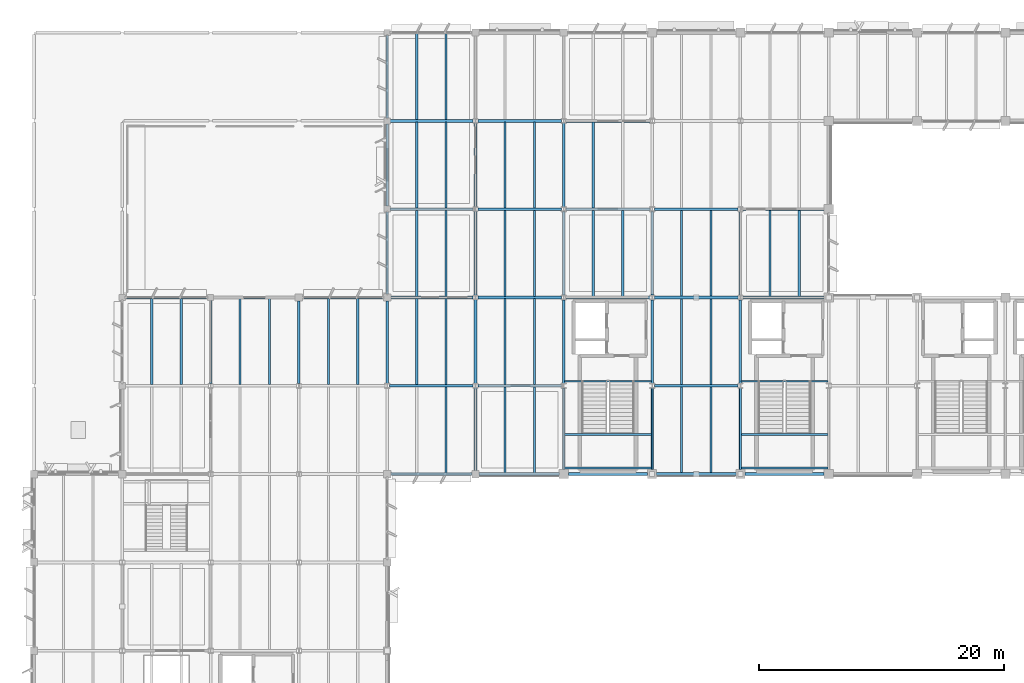
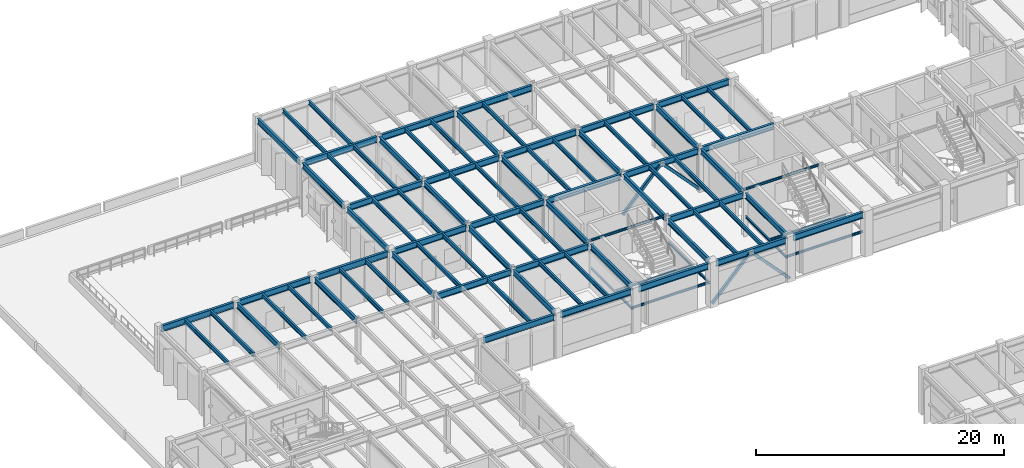
# One storey, part 21 of 92: 87 beams, 4 members.
"""IFC4 building model written with IfcOpenShell, lengths in metres."""

from ifc_helpers import new_model, si_unit, direction, frame, origin, origin_2d, place, context, subcontext, project, spatial, hollow_rectangle, i_section, extrude, material, material_profile, profile_set, type_object, element, save


model = new_model("IFC4")

# Units and contexts
model_context = context("Model", 3, precision=1e-05, world=origin(), true_north=direction((0.0, 1.0)))
body_context = subcontext(model_context, "Body", "Model", "MODEL_VIEW")
ifc_project = project(units=[si_unit("LENGTHUNIT", "METRE"), si_unit("AREAUNIT", "SQUARE_METRE"), si_unit("VOLUMEUNIT", "CUBIC_METRE"), si_unit("PLANEANGLEUNIT", "RADIAN"), si_unit("MASSUNIT", "GRAM", prefix="KILO")], contexts=[model_context])

# Site, building, storey
site_placement = place(None, origin())
site = spatial("IfcSite", under=ifc_project, at=site_placement, CompositionType="ELEMENT")
building_placement = place(site_placement, origin())
building = spatial("IfcBuilding", under=site, at=building_placement, Name="Sillqori Civic Hall", CompositionType="ELEMENT")
storey_placement = place(building_placement, frame((0.0, 0.0, 5.39990234375)))
storey = spatial("IfcBuildingStorey", under=building, at=storey_placement, Name="L02", CompositionType="ELEMENT", Elevation=5.39990234375)

# Beams
ifc_material_1 = material(Name="Steel ASTM A992", Category="steel")
ifc_material_profile_1 = material_profile(ifc_material_1, i_section(OverallWidth=0.2099609375, OverallDepth=0.532958984375, WebThickness=0.01025390625, FlangeThickness=0.015625, FilletRadius=0.013916015625, at=origin_2d()), Name="W21X62")
ifc_profile_set_1 = profile_set([ifc_material_profile_1], Name="Steel ASTM A992")
beam_type_1 = type_object("IfcBeamType", Name="BM-W21X62", PredefinedType="BEAM", material=ifc_profile_set_1)
beam_1_placement = place(storey_placement, frame((21.60009765625, 86.574462890625, 4.03369140625), z_axis=(0.0, 1.0, 0.0), x_axis=(-1.0, 0.0, 0.0)))
element("IfcBeam", 1, at=beam_1_placement, inside=storey, type_object=beam_type_1, Name="L02 girder Y 3-12", PredefinedType="BEAM", context=body_context, shape_type="SweptSolid", body=[
    extrude(i_section(OverallWidth=0.2099609375, OverallDepth=0.532958984375, WebThickness=0.01025390625, FlangeThickness=0.015625, FilletRadius=0.013916015625, at=origin_2d()), origin(), (0.0, 0.0, 1.0), 6.781494140625),
])
beam_2_placement = place(storey_placement, frame((28.800048828125, 86.577880859375, 4.03369140625), z_axis=(0.0, 1.0, 0.0), x_axis=(-1.0, 0.0, 0.0)))
element("IfcBeam", 2, at=beam_2_placement, inside=storey, type_object=beam_type_1, Name="L02 girder Y 4-12", PredefinedType="BEAM", context=body_context, shape_type="SweptSolid", body=[
    extrude(i_section(OverallWidth=0.2099609375, OverallDepth=0.532958984375, WebThickness=0.01025390625, FlangeThickness=0.015625, FilletRadius=0.013916015625, at=origin_2d()), origin(), (0.0, 0.0, 1.0), 6.72802734375),
])
beam_3_placement = place(storey_placement, frame((36.0, 86.58203125, 4.03369140625), z_axis=(0.0, 1.0, 0.0), x_axis=(-1.0, 0.0, 0.0)))
element("IfcBeam", 3, at=beam_3_placement, inside=storey, type_object=beam_type_1, Name="L02 girder Y 5-12", PredefinedType="BEAM", context=body_context, shape_type="SweptSolid", body=[
    extrude(i_section(OverallWidth=0.2099609375, OverallDepth=0.532958984375, WebThickness=0.01025390625, FlangeThickness=0.015625, FilletRadius=0.013916015625, at=origin_2d()), origin(), (0.0, 0.0, 1.0), 6.723876953125),
])
beam_4_placement = place(storey_placement, frame((36.0, 93.89404296875, 4.03369140625), z_axis=(0.0, 1.0, 0.0), x_axis=(-1.0, 0.0, 0.0)))
element("IfcBeam", 4, at=beam_4_placement, inside=storey, type_object=beam_type_1, Name="L02 girder Y 5-13", PredefinedType="BEAM", context=body_context, shape_type="SweptSolid", body=[
    extrude(i_section(OverallWidth=0.2099609375, OverallDepth=0.532958984375, WebThickness=0.01025390625, FlangeThickness=0.015625, FilletRadius=0.013916015625, at=origin_2d()), origin(), (0.0, 0.0, 1.0), 6.661865234375),
])
for number, where, z_axis, x_axis, name in (
    (5, (36.0, 101.0439453125, 4.03369140625), (0.0, 1.0, 0.0), (-1.0, 0.0, 0.0), "L02 girder Y 5-14"),
    (6, (36.0, 108.243896484375, 4.03369140625), (0.0, 1.0, 0.0), (-1.0, 0.0, 0.0), "L02 girder Y 5-15"),
):
    element("IfcBeam", number, at=place(storey_placement, frame(where, z_axis=z_axis, x_axis=x_axis)), inside=storey, type_object=beam_type_1, Name=name, PredefinedType="BEAM", context=body_context, shape_type="SweptSolid", body=[
        extrude(i_section(OverallWidth=0.2099609375, OverallDepth=0.532958984375, WebThickness=0.01025390625, FlangeThickness=0.015625, FilletRadius=0.013916015625, at=origin_2d()), origin(), (0.0, 0.0, 1.0), 6.712158203125),
    ])
beam_5_placement = place(storey_placement, frame((43.199951171875, 79.493896484375, 4.03369140625), z_axis=(0.0, 1.0, 0.0), x_axis=(-1.0, 0.0, 0.0)))
element("IfcBeam", 7, at=beam_5_placement, inside=storey, type_object=beam_type_1, Name="L02 girder Y 6-11", PredefinedType="BEAM", context=body_context, shape_type="SweptSolid", body=[
    extrude(i_section(OverallWidth=0.2099609375, OverallDepth=0.532958984375, WebThickness=0.01025390625, FlangeThickness=0.015625, FilletRadius=0.013916015625, at=origin_2d()), origin(), (0.0, 0.0, 1.0), 6.72412109375),
])
for number, where, z_axis, x_axis, name in (
    (8, (43.199951171875, 86.58203125, 4.03369140625), (0.0, 1.0, 0.0), (-1.0, 0.0, 0.0), "L02 girder Y 6-12"),
    (9, (43.199951171875, 93.781982421875, 4.03369140625), (0.0, 1.0, 0.0), (-1.0, 0.0, 0.0), "L02 girder Y 6-13"),
):
    element("IfcBeam", number, at=place(storey_placement, frame(where, z_axis=z_axis, x_axis=x_axis)), inside=storey, type_object=beam_type_1, Name=name, PredefinedType="BEAM", context=body_context, shape_type="SweptSolid", body=[
        extrude(i_section(OverallWidth=0.2099609375, OverallDepth=0.532958984375, WebThickness=0.01025390625, FlangeThickness=0.015625, FilletRadius=0.013916015625, at=origin_2d()), origin(), (0.0, 0.0, 1.0), 6.8359375),
    ])
beam_6_placement = place(storey_placement, frame((43.199951171875, 100.98193359375, 4.03369140625), z_axis=(0.0, 1.0, 0.0), x_axis=(-1.0, 0.0, 0.0)))
element("IfcBeam", 10, at=beam_6_placement, inside=storey, type_object=beam_type_1, Name="L02 girder Y 6-14", PredefinedType="BEAM", context=body_context, shape_type="SweptSolid", body=[
    extrude(i_section(OverallWidth=0.2099609375, OverallDepth=0.532958984375, WebThickness=0.01025390625, FlangeThickness=0.015625, FilletRadius=0.013916015625, at=origin_2d()), origin(), (0.0, 0.0, 1.0), 6.836181640625),
])
beam_7_placement = place(storey_placement, frame((50.39990234375, 79.569091796875, 4.03369140625), z_axis=(0.0, 1.0, 0.0), x_axis=(-1.0, 0.0, 0.0)))
element("IfcBeam", 11, at=beam_7_placement, inside=storey, type_object=beam_type_1, Name="L02 girder Y 7-11", PredefinedType="BEAM", context=body_context, shape_type="SweptSolid", body=[
    extrude(i_section(OverallWidth=0.2099609375, OverallDepth=0.532958984375, WebThickness=0.01025390625, FlangeThickness=0.015625, FilletRadius=0.013916015625, at=origin_2d()), origin(), (0.0, 0.0, 1.0), 6.639892578125),
])
beam_8_placement = place(storey_placement, frame((50.39990234375, 86.591064453125, 4.03369140625), z_axis=(0.0, 1.0, 0.0), x_axis=(-1.0, 0.0, 0.0)))
element("IfcBeam", 12, at=beam_8_placement, inside=storey, type_object=beam_type_1, Name="L02 girder Y 7-12", PredefinedType="BEAM", context=body_context, shape_type="SweptSolid", body=[
    extrude(i_section(OverallWidth=0.2099609375, OverallDepth=0.532958984375, WebThickness=0.01025390625, FlangeThickness=0.015625, FilletRadius=0.013916015625, at=origin_2d()), origin(), (0.0, 0.0, 1.0), 6.81787109375),
])
beam_9_placement = place(storey_placement, frame((50.39990234375, 93.791015625, 4.03369140625), z_axis=(0.0, 1.0, 0.0), x_axis=(-1.0, 0.0, 0.0)))
element("IfcBeam", 13, at=beam_9_placement, inside=storey, type_object=beam_type_1, Name="L02 girder Y 7-13", PredefinedType="BEAM", context=body_context, shape_type="SweptSolid", body=[
    extrude(i_section(OverallWidth=0.2099609375, OverallDepth=0.532958984375, WebThickness=0.01025390625, FlangeThickness=0.015625, FilletRadius=0.013916015625, at=origin_2d()), origin(), (0.0, 0.0, 1.0), 6.822021484375),
])
beam_10_placement = place(storey_placement, frame((50.39990234375, 100.987060546875, 4.03369140625), z_axis=(0.0, 1.0, 0.0), x_axis=(-1.0, 0.0, 0.0)))
element("IfcBeam", 14, at=beam_10_placement, inside=storey, type_object=beam_type_1, Name="L02 girder Y 7-14", PredefinedType="BEAM", context=body_context, shape_type="SweptSolid", body=[
    extrude(i_section(OverallWidth=0.2099609375, OverallDepth=0.532958984375, WebThickness=0.01025390625, FlangeThickness=0.015625, FilletRadius=0.013916015625, at=origin_2d()), origin(), (0.0, 0.0, 1.0), 6.825927734375),
])
beam_11_placement = place(storey_placement, frame((57.60009765625, 79.569091796875, 4.03369140625), z_axis=(0.0, 1.0, 0.0), x_axis=(-1.0, 0.0, 0.0)))
element("IfcBeam", 15, at=beam_11_placement, inside=storey, type_object=beam_type_1, Name="L02 girder Y 8-11", PredefinedType="BEAM", context=body_context, shape_type="SweptSolid", body=[
    extrude(i_section(OverallWidth=0.2099609375, OverallDepth=0.532958984375, WebThickness=0.01025390625, FlangeThickness=0.015625, FilletRadius=0.013916015625, at=origin_2d()), origin(), (0.0, 0.0, 1.0), 6.639892578125),
])
for number, where, z_axis, x_axis, name in (
    (16, (57.60009765625, 86.591064453125, 4.03369140625), (0.0, 1.0, 0.0), (-1.0, 0.0, 0.0), "L02 girder Y 8-12"),
    (17, (57.60009765625, 93.791015625, 4.03369140625), (0.0, 1.0, 0.0), (-1.0, 0.0, 0.0), "L02 girder Y 8-13"),
):
    element("IfcBeam", number, at=place(storey_placement, frame(where, z_axis=z_axis, x_axis=x_axis)), inside=storey, type_object=beam_type_1, Name=name, PredefinedType="BEAM", context=body_context, shape_type="SweptSolid", body=[
        extrude(i_section(OverallWidth=0.2099609375, OverallDepth=0.532958984375, WebThickness=0.01025390625, FlangeThickness=0.015625, FilletRadius=0.013916015625, at=origin_2d()), origin(), (0.0, 0.0, 1.0), 6.81787109375),
    ])
beam_12_placement = place(storey_placement, frame((64.800048828125, 79.569091796875, 4.03369140625), z_axis=(0.0, 1.0, 0.0), x_axis=(-1.0, 0.0, 0.0)))
element("IfcBeam", 18, at=beam_12_placement, inside=storey, type_object=beam_type_1, Name="L02 girder Y 9-11", PredefinedType="BEAM", context=body_context, shape_type="SweptSolid", body=[
    extrude(i_section(OverallWidth=0.2099609375, OverallDepth=0.532958984375, WebThickness=0.01025390625, FlangeThickness=0.015625, FilletRadius=0.013916015625, at=origin_2d()), origin(), (0.0, 0.0, 1.0), 6.639892578125),
])
for number, where, z_axis, x_axis, name in (
    (19, (64.800048828125, 86.591064453125, 4.03369140625), (0.0, 1.0, 0.0), (-1.0, 0.0, 0.0), "L02 girder Y 9-12"),
    (20, (64.800048828125, 93.791015625, 4.03369140625), (0.0, 1.0, 0.0), (-1.0, 0.0, 0.0), "L02 girder Y 9-13"),
):
    element("IfcBeam", number, at=place(storey_placement, frame(where, z_axis=z_axis, x_axis=x_axis)), inside=storey, type_object=beam_type_1, Name=name, PredefinedType="BEAM", context=body_context, shape_type="SweptSolid", body=[
        extrude(i_section(OverallWidth=0.2099609375, OverallDepth=0.532958984375, WebThickness=0.01025390625, FlangeThickness=0.015625, FilletRadius=0.013916015625, at=origin_2d()), origin(), (0.0, 0.0, 1.0), 6.81787109375),
    ])
ifc_material_profile_2 = material_profile(ifc_material_1, i_section(OverallWidth=0.22802734375, OverallDepth=0.60205078125, WebThickness=0.010498046875, FlangeThickness=0.014892578125, FilletRadius=0.014892578125, at=origin_2d()), Name="W24X68")
ifc_profile_set_2 = profile_set([ifc_material_profile_2], Name="Steel ASTM A992")
beam_type_2 = type_object("IfcBeamType", Name="BM-W24X68", PredefinedType="BEAM", material=ifc_profile_set_2)
beam_13_placement = place(storey_placement, frame((14.64404296875, 93.60009765625, 3.9990234375), z_axis=(1.0, 0.0, 0.0), x_axis=(0.0, 1.0, 0.0)))
element("IfcBeam", 21, at=beam_13_placement, inside=storey, type_object=beam_type_2, Name="L02 girder X 2-13", PredefinedType="BEAM", context=body_context, shape_type="SweptSolid", body=[
    extrude(i_section(OverallWidth=0.22802734375, OverallDepth=0.60205078125, WebThickness=0.010498046875, FlangeThickness=0.014892578125, FilletRadius=0.014892578125, at=origin_2d()), origin(), (0.0, 0.0, 1.0), 6.7119140625),
])
beam_14_placement = place(storey_placement, frame((21.843994140625, 93.60009765625, 3.9990234375), z_axis=(1.0, 0.0, 0.0), x_axis=(0.0, 1.0, 0.0)))
element("IfcBeam", 22, at=beam_14_placement, inside=storey, type_object=beam_type_2, Name="L02 girder X 3-13", PredefinedType="BEAM", context=body_context, shape_type="SweptSolid", body=[
    extrude(i_section(OverallWidth=0.22802734375, OverallDepth=0.60205078125, WebThickness=0.010498046875, FlangeThickness=0.014892578125, FilletRadius=0.014892578125, at=origin_2d()), origin(), (0.0, 0.0, 1.0), 6.662109375),
])
for number, where, z_axis, x_axis, name in (
    (23, (29.093994140625, 93.60009765625, 3.9990234375), (1.0, 0.0, 0.0), (0.0, 1.0, 0.0), "L02 girder X 4-13"),
    (24, (36.2939453125, 79.199951171875, 3.9990234375), (1.0, 0.0, 0.0), (0.0, 1.0, 0.0), "L02 girder X 5-11"),
):
    element("IfcBeam", number, at=place(storey_placement, frame(where, z_axis=z_axis, x_axis=x_axis)), inside=storey, type_object=beam_type_2, Name=name, PredefinedType="BEAM", context=body_context, shape_type="SweptSolid", body=[
        extrude(i_section(OverallWidth=0.22802734375, OverallDepth=0.60205078125, WebThickness=0.010498046875, FlangeThickness=0.014892578125, FilletRadius=0.014892578125, at=origin_2d()), origin(), (0.0, 0.0, 1.0), 6.612060546875),
    ])
beam_15_placement = place(storey_placement, frame((36.19091796875, 86.39990234375, 3.9990234375), z_axis=(1.0, 0.0, 0.0), x_axis=(0.0, 1.0, 0.0)))
element("IfcBeam", 25, at=beam_15_placement, inside=storey, type_object=beam_type_2, Name="L02 girder X 5-12", PredefinedType="BEAM", context=body_context, shape_type="SweptSolid", body=[
    extrude(i_section(OverallWidth=0.22802734375, OverallDepth=0.60205078125, WebThickness=0.010498046875, FlangeThickness=0.014892578125, FilletRadius=0.014892578125, at=origin_2d()), origin(), (0.0, 0.0, 1.0), 6.818115234375),
])
beam_16_placement = place(storey_placement, frame((36.2939453125, 93.60009765625, 3.9990234375), z_axis=(1.0, 0.0, 0.0), x_axis=(0.0, 1.0, 0.0)))
element("IfcBeam", 26, at=beam_16_placement, inside=storey, type_object=beam_type_2, Name="L02 girder X 5-13", PredefinedType="BEAM", context=body_context, shape_type="SweptSolid", body=[
    extrude(i_section(OverallWidth=0.22802734375, OverallDepth=0.60205078125, WebThickness=0.010498046875, FlangeThickness=0.014892578125, FilletRadius=0.014892578125, at=origin_2d()), origin(), (0.0, 0.0, 1.0), 6.715087890625),
])
for number, where, z_axis, x_axis, name in (
    (27, (36.243896484375, 100.800048828125, 3.9990234375), (1.0, 0.0, 0.0), (0.0, 1.0, 0.0), "L02 girder X 5-14"),
    (28, (36.243896484375, 108.0, 3.9990234375), (1.0, 0.0, 0.0), (0.0, 1.0, 0.0), "L02 girder X 5-15"),
):
    element("IfcBeam", number, at=place(storey_placement, frame(where, z_axis=z_axis, x_axis=x_axis)), inside=storey, type_object=beam_type_2, Name=name, PredefinedType="BEAM", context=body_context, shape_type="SweptSolid", body=[
        extrude(i_section(OverallWidth=0.22802734375, OverallDepth=0.60205078125, WebThickness=0.010498046875, FlangeThickness=0.014892578125, FilletRadius=0.014892578125, at=origin_2d()), origin(), (0.0, 0.0, 1.0), 6.76513671875),
    ])
beam_17_placement = place(storey_placement, frame((43.493896484375, 79.199951171875, 3.9990234375), z_axis=(1.0, 0.0, 0.0), x_axis=(0.0, 1.0, 0.0)))
element("IfcBeam", 29, at=beam_17_placement, inside=storey, type_object=beam_type_2, Name="L02 girder X 6-11", PredefinedType="BEAM", context=body_context, shape_type="SweptSolid", body=[
    extrude(i_section(OverallWidth=0.22802734375, OverallDepth=0.60205078125, WebThickness=0.010498046875, FlangeThickness=0.014892578125, FilletRadius=0.014892578125, at=origin_2d()), origin(), (0.0, 0.0, 1.0), 6.537109375),
])
for number, where, z_axis, x_axis, name in (
    (30, (43.39111328125, 86.39990234375, 3.9990234375), (1.0, 0.0, 0.0), (0.0, 1.0, 0.0), "L02 girder X 6-12"),
    (31, (43.39111328125, 93.60009765625, 3.9990234375), (1.0, 0.0, 0.0), (0.0, 1.0, 0.0), "L02 girder X 6-13"),
    (32, (43.39111328125, 100.800048828125, 3.9990234375), (1.0, 0.0, 0.0), (0.0, 1.0, 0.0), "L02 girder X 6-14"),
    (33, (43.39111328125, 108.0, 3.9990234375), (1.0, 0.0, 0.0), (0.0, 1.0, 0.0), "L02 girder X 6-15"),
):
    element("IfcBeam", number, at=place(storey_placement, frame(where, z_axis=z_axis, x_axis=x_axis)), inside=storey, type_object=beam_type_2, Name=name, PredefinedType="BEAM", context=body_context, shape_type="SweptSolid", body=[
        extrude(i_section(OverallWidth=0.22802734375, OverallDepth=0.60205078125, WebThickness=0.010498046875, FlangeThickness=0.014892578125, FilletRadius=0.014892578125, at=origin_2d()), origin(), (0.0, 0.0, 1.0), 6.8154296875),
    ])
beam_18_placement = place(storey_placement, frame((50.76904296875, 79.199951171875, 3.9990234375), z_axis=(1.0, 0.0, 0.0), x_axis=(0.0, 1.0, 0.0)))
element("IfcBeam", 34, at=beam_18_placement, inside=storey, type_object=beam_type_2, Name="L02 girder X 7-11", PredefinedType="BEAM", context=body_context, shape_type="SweptSolid", body=[
    extrude(i_section(OverallWidth=0.22802734375, OverallDepth=0.60205078125, WebThickness=0.010498046875, FlangeThickness=0.014892578125, FilletRadius=0.014892578125, at=origin_2d()), origin(), (0.0, 0.0, 1.0), 6.4619140625),
])
for number, where, z_axis, x_axis, name in (
    (35, (50.593505859375, 93.60009765625, 3.9990234375), (1.0, 0.0, 0.0), (0.0, 1.0, 0.0), "L02 girder X 7-13"),
    (36, (50.593505859375, 100.800048828125, 3.9990234375), (1.0, 0.0, 0.0), (0.0, 1.0, 0.0), "L02 girder X 7-14"),
    (37, (50.593505859375, 108.0, 3.9990234375), (1.0, 0.0, 0.0), (0.0, 1.0, 0.0), "L02 girder X 7-15"),
):
    element("IfcBeam", number, at=place(storey_placement, frame(where, z_axis=z_axis, x_axis=x_axis)), inside=storey, type_object=beam_type_2, Name=name, PredefinedType="BEAM", context=body_context, shape_type="SweptSolid", body=[
        extrude(i_section(OverallWidth=0.22802734375, OverallDepth=0.60205078125, WebThickness=0.010498046875, FlangeThickness=0.014892578125, FilletRadius=0.014892578125, at=origin_2d()), origin(), (0.0, 0.0, 1.0), 6.81298828125),
    ])
beam_19_placement = place(storey_placement, frame((57.968994140625, 79.199951171875, 3.9990234375), z_axis=(1.0, 0.0, 0.0), x_axis=(0.0, 1.0, 0.0)))
element("IfcBeam", 38, at=beam_19_placement, inside=storey, type_object=beam_type_2, Name="L02 girder X 8-11", PredefinedType="BEAM", context=body_context, shape_type="SweptSolid", body=[
    extrude(i_section(OverallWidth=0.22802734375, OverallDepth=0.60205078125, WebThickness=0.010498046875, FlangeThickness=0.014892578125, FilletRadius=0.014892578125, at=origin_2d()), origin(), (0.0, 0.0, 1.0), 6.4619140625),
])
for number, where, z_axis, x_axis, name in (
    (39, (57.79345703125, 86.39990234375, 3.9990234375), (1.0, 0.0, 0.0), (0.0, 1.0, 0.0), "L02 girder X 8-12"),
    (40, (57.79345703125, 93.60009765625, 3.9990234375), (1.0, 0.0, 0.0), (0.0, 1.0, 0.0), "L02 girder X 8-13"),
    (41, (57.79345703125, 100.800048828125, 3.9990234375), (1.0, 0.0, 0.0), (0.0, 1.0, 0.0), "L02 girder X 8-14"),
):
    element("IfcBeam", number, at=place(storey_placement, frame(where, z_axis=z_axis, x_axis=x_axis)), inside=storey, type_object=beam_type_2, Name=name, PredefinedType="BEAM", context=body_context, shape_type="SweptSolid", body=[
        extrude(i_section(OverallWidth=0.22802734375, OverallDepth=0.60205078125, WebThickness=0.010498046875, FlangeThickness=0.014892578125, FilletRadius=0.014892578125, at=origin_2d()), origin(), (0.0, 0.0, 1.0), 6.81298828125),
    ])
beam_20_placement = place(storey_placement, frame((65.1689453125, 79.199951171875, 3.9990234375), z_axis=(1.0, 0.0, 0.0), x_axis=(0.0, 1.0, 0.0)))
element("IfcBeam", 42, at=beam_20_placement, inside=storey, type_object=beam_type_2, Name="L02 girder X 9-11", PredefinedType="BEAM", context=body_context, shape_type="SweptSolid", body=[
    extrude(i_section(OverallWidth=0.22802734375, OverallDepth=0.60205078125, WebThickness=0.010498046875, FlangeThickness=0.014892578125, FilletRadius=0.014892578125, at=origin_2d()), origin(), (0.0, 0.0, 1.0), 6.462158203125),
])
for number, where, z_axis, x_axis, name in (
    (43, (64.993408203125, 93.60009765625, 3.9990234375), (1.0, 0.0, 0.0), (0.0, 1.0, 0.0), "L02 girder X 9-13"),
    (44, (64.993408203125, 100.800048828125, 3.9990234375), (1.0, 0.0, 0.0), (0.0, 1.0, 0.0), "L02 girder X 9-14"),
):
    element("IfcBeam", number, at=place(storey_placement, frame(where, z_axis=z_axis, x_axis=x_axis)), inside=storey, type_object=beam_type_2, Name=name, PredefinedType="BEAM", context=body_context, shape_type="SweptSolid", body=[
        extrude(i_section(OverallWidth=0.22802734375, OverallDepth=0.60205078125, WebThickness=0.010498046875, FlangeThickness=0.014892578125, FilletRadius=0.014892578125, at=origin_2d()), origin(), (0.0, 0.0, 1.0), 6.6376953125),
    ])

# Members
ifc_material_2 = material(Name="Steel ASTM A500 Grade C", Category="steel")
ifc_material_profile_3 = material_profile(ifc_material_2, hollow_rectangle(XDim=0.25, YDim=0.25, WallThickness=0.011962890625, InnerFilletRadius=0.011962890625, OuterFilletRadius=0.02392578125, at=origin_2d()), Name="HSS250X250X12")
ifc_profile_set_3 = profile_set([ifc_material_profile_3], Name="Steel ASTM A500 Grade C")
member_type = type_object("IfcMemberType", Name="BR-HSS250", PredefinedType="BRACE", material=ifc_profile_set_3)
for number, where, z_axis, x_axis, name in (
    (45, (57.60009765625, 79.199951171875, 0.150146484375), (0.682992959744, 0.0, 0.730424956406), (0.0, 1.0, 0.0), "L02 seismic chevron brace L X11-8"),
    (46, (64.800048828125, 79.199951171875, 0.150146484375), (-0.683017671411, 0.0, 0.73040184867), (0.0, -1.0, 0.0), "L02 seismic chevron brace R X11-8"),
    (47, (57.60009765625, 93.60009765625, 0.150146484375), (0.682992959744, 0.0, 0.730424956406), (0.0, 1.0, 0.0), "L02 seismic chevron brace L X13-8"),
    (48, (64.800048828125, 93.60009765625, 0.150146484375), (-0.683017671411, 0.0, 0.73040184867), (0.0, -1.0, 0.0), "L02 seismic chevron brace R X13-8"),
):
    element("IfcMember", number, at=place(storey_placement, frame(where, z_axis=z_axis, x_axis=x_axis)), inside=storey, type_object=member_type, Name=name, PredefinedType="BRACE", context=body_context, shape_type="SweptSolid", body=[
        extrude(hollow_rectangle(XDim=0.25, YDim=0.25, WallThickness=0.011962890625, InnerFilletRadius=0.011962890625, OuterFilletRadius=0.02392578125, at=origin_2d()), origin(), (0.0, 0.0, 1.0), 5.270751953125),
    ])

# Beams
ifc_material_profile_4 = material_profile(ifc_material_1, i_section(OverallWidth=0.177978515625, OverallDepth=0.404052734375, WebThickness=0.007568359375, FlangeThickness=0.010986328125, FilletRadius=0.011962890625, at=origin_2d()), Name="W16X36")
ifc_profile_set_4 = profile_set([ifc_material_profile_4], Name="Steel ASTM A992")
beam_type_3 = type_object("IfcBeamType", Name="JS-W16X36", PredefinedType="JOIST", material=ifc_profile_set_4)
for number, where, z_axis, x_axis, name in (
    (49, (16.800048828125, 86.4951171875, 4.09814453125), (0.0, 1.0, 0.0), (-1.0, 0.0, 0.0), "L02 composite joist 2-12.1"),
    (50, (19.199951171875, 86.4951171875, 4.09814453125), (0.0, 1.0, 0.0), (-1.0, 0.0, 0.0), "L02 composite joist 2-12.2"),
    (51, (24.0, 86.4951171875, 4.09814453125), (0.0, 1.0, 0.0), (-1.0, 0.0, 0.0), "L02 composite joist 3-12.1"),
    (52, (26.39990234375, 86.4951171875, 4.09814453125), (0.0, 1.0, 0.0), (-1.0, 0.0, 0.0), "L02 composite joist 3-12.2"),
    (53, (31.199951171875, 86.4951171875, 4.09814453125), (0.0, 1.0, 0.0), (-1.0, 0.0, 0.0), "L02 composite joist 4-12.1"),
    (54, (33.60009765625, 86.4951171875, 4.09814453125), (0.0, 1.0, 0.0), (-1.0, 0.0, 0.0), "L02 composite joist 4-12.2"),
):
    element("IfcBeam", number, at=place(storey_placement, frame(where, z_axis=z_axis, x_axis=x_axis)), inside=storey, type_object=beam_type_3, Name=name, PredefinedType="JOIST", context=body_context, shape_type="SweptSolid", body=[
        extrude(i_section(OverallWidth=0.177978515625, OverallDepth=0.404052734375, WebThickness=0.007568359375, FlangeThickness=0.010986328125, FilletRadius=0.011962890625, at=origin_2d()), origin(), (0.0, 0.0, 1.0), 7.009765625),
    ])
beam_21_placement = place(storey_placement, frame((40.800048828125, 79.294921875, 4.09814453125), z_axis=(0.0, 1.0, 0.0), x_axis=(-1.0, 0.0, 0.0)))
element("IfcBeam", 55, at=beam_21_placement, inside=storey, type_object=beam_type_3, Name="L02 composite joist 5-11.2", PredefinedType="JOIST", context=body_context, shape_type="SweptSolid", body=[
    extrude(i_section(OverallWidth=0.177978515625, OverallDepth=0.404052734375, WebThickness=0.007568359375, FlangeThickness=0.010986328125, FilletRadius=0.011962890625, at=origin_2d()), origin(), (0.0, 0.0, 1.0), 7.010009765625),
])
for number, where, z_axis, x_axis, name in (
    (56, (38.39990234375, 86.4951171875, 4.09814453125), (0.0, 1.0, 0.0), (-1.0, 0.0, 0.0), "L02 composite joist 5-12.1"),
    (57, (40.800048828125, 86.4951171875, 4.09814453125), (0.0, 1.0, 0.0), (-1.0, 0.0, 0.0), "L02 composite joist 5-12.2"),
):
    element("IfcBeam", number, at=place(storey_placement, frame(where, z_axis=z_axis, x_axis=x_axis)), inside=storey, type_object=beam_type_3, Name=name, PredefinedType="JOIST", context=body_context, shape_type="SweptSolid", body=[
        extrude(i_section(OverallWidth=0.177978515625, OverallDepth=0.404052734375, WebThickness=0.007568359375, FlangeThickness=0.010986328125, FilletRadius=0.011962890625, at=origin_2d()), origin(), (0.0, 0.0, 1.0), 7.009765625),
    ])
for number, where, z_axis, x_axis, name in (
    (58, (38.39990234375, 93.695068359375, 4.09814453125), (0.0, 1.0, 0.0), (-1.0, 0.0, 0.0), "L02 composite joist 5-13.1"),
    (59, (40.800048828125, 93.695068359375, 4.09814453125), (0.0, 1.0, 0.0), (-1.0, 0.0, 0.0), "L02 composite joist 5-13.2"),
    (60, (38.39990234375, 100.89501953125, 4.09814453125), (0.0, 1.0, 0.0), (-1.0, 0.0, 0.0), "L02 composite joist 5-14.1"),
    (61, (40.800048828125, 100.89501953125, 4.09814453125), (0.0, 1.0, 0.0), (-1.0, 0.0, 0.0), "L02 composite joist 5-14.2"),
    (62, (38.39990234375, 108.094970703125, 4.09814453125), (0.0, 1.0, 0.0), (-1.0, 0.0, 0.0), "L02 composite joist 5-15.1"),
    (63, (40.800048828125, 108.094970703125, 4.09814453125), (0.0, 1.0, 0.0), (-1.0, 0.0, 0.0), "L02 composite joist 5-15.2"),
    (64, (45.60009765625, 79.294921875, 4.09814453125), (0.0, 1.0, 0.0), (-1.0, 0.0, 0.0), "L02 composite joist 6-11.1"),
    (65, (48.0, 79.294921875, 4.09814453125), (0.0, 1.0, 0.0), (-1.0, 0.0, 0.0), "L02 composite joist 6-11.2"),
):
    element("IfcBeam", number, at=place(storey_placement, frame(where, z_axis=z_axis, x_axis=x_axis)), inside=storey, type_object=beam_type_3, Name=name, PredefinedType="JOIST", context=body_context, shape_type="SweptSolid", body=[
        extrude(i_section(OverallWidth=0.177978515625, OverallDepth=0.404052734375, WebThickness=0.007568359375, FlangeThickness=0.010986328125, FilletRadius=0.011962890625, at=origin_2d()), origin(), (0.0, 0.0, 1.0), 7.010009765625),
    ])
for number, where, z_axis, x_axis, name in (
    (66, (45.60009765625, 86.4951171875, 4.09814453125), (0.0, 1.0, 0.0), (-1.0, 0.0, 0.0), "L02 composite joist 6-12.1"),
    (67, (48.0, 86.4951171875, 4.09814453125), (0.0, 1.0, 0.0), (-1.0, 0.0, 0.0), "L02 composite joist 6-12.2"),
):
    element("IfcBeam", number, at=place(storey_placement, frame(where, z_axis=z_axis, x_axis=x_axis)), inside=storey, type_object=beam_type_3, Name=name, PredefinedType="JOIST", context=body_context, shape_type="SweptSolid", body=[
        extrude(i_section(OverallWidth=0.177978515625, OverallDepth=0.404052734375, WebThickness=0.007568359375, FlangeThickness=0.010986328125, FilletRadius=0.011962890625, at=origin_2d()), origin(), (0.0, 0.0, 1.0), 7.009765625),
    ])
for number, where, z_axis, x_axis, name in (
    (68, (45.60009765625, 93.695068359375, 4.09814453125), (0.0, 1.0, 0.0), (-1.0, 0.0, 0.0), "L02 composite joist 6-13.1"),
    (69, (48.0, 93.695068359375, 4.09814453125), (0.0, 1.0, 0.0), (-1.0, 0.0, 0.0), "L02 composite joist 6-13.2"),
    (70, (45.60009765625, 100.89501953125, 4.09814453125), (0.0, 1.0, 0.0), (-1.0, 0.0, 0.0), "L02 composite joist 6-14.1"),
    (71, (48.0, 100.89501953125, 4.09814453125), (0.0, 1.0, 0.0), (-1.0, 0.0, 0.0), "L02 composite joist 6-14.2"),
    (72, (52.800048828125, 93.695068359375, 4.09814453125), (0.0, 1.0, 0.0), (-1.0, 0.0, 0.0), "L02 composite joist 7-13.1"),
    (73, (55.199951171875, 93.695068359375, 4.09814453125), (0.0, 1.0, 0.0), (-1.0, 0.0, 0.0), "L02 composite joist 7-13.2"),
    (74, (52.800048828125, 100.89501953125, 4.09814453125), (0.0, 1.0, 0.0), (-1.0, 0.0, 0.0), "L02 composite joist 7-14.1"),
    (75, (60.0, 79.294921875, 4.09814453125), (0.0, 1.0, 0.0), (-1.0, 0.0, 0.0), "L02 composite joist 8-11.1"),
    (76, (62.39990234375, 79.294921875, 4.09814453125), (0.0, 1.0, 0.0), (-1.0, 0.0, 0.0), "L02 composite joist 8-11.2"),
):
    element("IfcBeam", number, at=place(storey_placement, frame(where, z_axis=z_axis, x_axis=x_axis)), inside=storey, type_object=beam_type_3, Name=name, PredefinedType="JOIST", context=body_context, shape_type="SweptSolid", body=[
        extrude(i_section(OverallWidth=0.177978515625, OverallDepth=0.404052734375, WebThickness=0.007568359375, FlangeThickness=0.010986328125, FilletRadius=0.011962890625, at=origin_2d()), origin(), (0.0, 0.0, 1.0), 7.010009765625),
    ])
for number, where, z_axis, x_axis, name in (
    (77, (60.0, 86.4951171875, 4.09814453125), (0.0, 1.0, 0.0), (-1.0, 0.0, 0.0), "L02 composite joist 8-12.1"),
    (78, (62.39990234375, 86.4951171875, 4.09814453125), (0.0, 1.0, 0.0), (-1.0, 0.0, 0.0), "L02 composite joist 8-12.2"),
):
    element("IfcBeam", number, at=place(storey_placement, frame(where, z_axis=z_axis, x_axis=x_axis)), inside=storey, type_object=beam_type_3, Name=name, PredefinedType="JOIST", context=body_context, shape_type="SweptSolid", body=[
        extrude(i_section(OverallWidth=0.177978515625, OverallDepth=0.404052734375, WebThickness=0.007568359375, FlangeThickness=0.010986328125, FilletRadius=0.011962890625, at=origin_2d()), origin(), (0.0, 0.0, 1.0), 7.009765625),
    ])
for number, where, z_axis, x_axis, name in (
    (79, (60.0, 93.695068359375, 4.09814453125), (0.0, 1.0, 0.0), (-1.0, 0.0, 0.0), "L02 composite joist 8-13.1"),
    (80, (62.39990234375, 93.695068359375, 4.09814453125), (0.0, 1.0, 0.0), (-1.0, 0.0, 0.0), "L02 composite joist 8-13.2"),
    (81, (67.199951171875, 93.695068359375, 4.09814453125), (0.0, 1.0, 0.0), (-1.0, 0.0, 0.0), "L02 composite joist 9-13.1"),
    (82, (69.60009765625, 93.695068359375, 4.09814453125), (0.0, 1.0, 0.0), (-1.0, 0.0, 0.0), "L02 composite joist 9-13.2"),
):
    element("IfcBeam", number, at=place(storey_placement, frame(where, z_axis=z_axis, x_axis=x_axis)), inside=storey, type_object=beam_type_3, Name=name, PredefinedType="JOIST", context=body_context, shape_type="SweptSolid", body=[
        extrude(i_section(OverallWidth=0.177978515625, OverallDepth=0.404052734375, WebThickness=0.007568359375, FlangeThickness=0.010986328125, FilletRadius=0.011962890625, at=origin_2d()), origin(), (0.0, 0.0, 1.0), 7.010009765625),
    ])
ifc_material_profile_5 = material_profile(ifc_material_1, i_section(OverallWidth=0.133056640625, OverallDepth=0.20703125, WebThickness=0.005859375, FlangeThickness=0.00830078125, FilletRadius=0.008056640625, at=origin_2d()), Name="W8X18")
ifc_profile_set_5 = profile_set([ifc_material_profile_5], Name="Steel ASTM A992")
beam_type_4 = type_object("IfcBeamType", Name="LN-W8X18", PredefinedType="LINTEL", material=ifc_profile_set_5)
for number, where, z_axis, x_axis, name in (
    (83, (50.39990234375, 79.569091796875, 1.9326171875), (0.0, 1.0, 0.0), (-1.0, 0.0, 0.0), "L02 grid 7 stair landing stringer 1"),
    (84, (57.60009765625, 79.569091796875, 1.9326171875), (0.0, 1.0, 0.0), (-1.0, 0.0, 0.0), "L02 grid 8 stair landing stringer 1"),
):
    element("IfcBeam", number, at=place(storey_placement, frame(where, z_axis=z_axis, x_axis=x_axis)), inside=storey, type_object=beam_type_4, Name=name, PredefinedType="LINTEL", context=body_context, shape_type="SweptSolid", body=[
        extrude(i_section(OverallWidth=0.133056640625, OverallDepth=0.20703125, WebThickness=0.005859375, FlangeThickness=0.00830078125, FilletRadius=0.008056640625, at=origin_2d()), origin(), (0.0, 0.0, 1.0), 6.639892578125),
    ])
for number, where, z_axis, x_axis, name in (
    (85, (50.449951171875, 79.695068359375, 1.9326171875), (1.0, 0.0, 0.0), (0.0, 1.0, 0.0), "L02 C5 stair half-landing steel ledger 1.1"),
    (86, (50.449951171875, 82.429931640625, 1.9326171875), (1.0, 0.0, 0.0), (0.0, 1.0, 0.0), "L02 C5 stair half-landing steel ledger 1.2"),
    (87, (50.449951171875, 86.77001953125, 4.20263671875), (1.0, 0.0, 0.0), (0.0, 1.0, 0.0), "L02 C5 stair upper arrival steel trimmer"),
):
    element("IfcBeam", number, at=place(storey_placement, frame(where, z_axis=z_axis, x_axis=x_axis)), inside=storey, type_object=beam_type_4, Name=name, PredefinedType="LINTEL", context=body_context, shape_type="SweptSolid", body=[
        extrude(i_section(OverallWidth=0.133056640625, OverallDepth=0.20703125, WebThickness=0.005859375, FlangeThickness=0.00830078125, FilletRadius=0.008056640625, at=origin_2d()), origin(), (0.0, 0.0, 1.0), 7.10009765625),
    ])
beam_22_placement = place(storey_placement, frame((64.800048828125, 79.569091796875, 1.9326171875), z_axis=(0.0, 1.0, 0.0), x_axis=(-1.0, 0.0, 0.0)))
element("IfcBeam", 88, at=beam_22_placement, inside=storey, type_object=beam_type_4, Name="L02 grid 9 stair landing stringer 1", PredefinedType="LINTEL", context=body_context, shape_type="SweptSolid", body=[
    extrude(i_section(OverallWidth=0.133056640625, OverallDepth=0.20703125, WebThickness=0.005859375, FlangeThickness=0.00830078125, FilletRadius=0.008056640625, at=origin_2d()), origin(), (0.0, 0.0, 1.0), 6.639892578125),
])
for number, where, z_axis, x_axis, name in (
    (89, (64.85009765625, 79.695068359375, 1.9326171875), (1.0, 0.0, 0.0), (0.0, 1.0, 0.0), "L02 C6 stair half-landing steel ledger 1.1"),
    (90, (64.85009765625, 82.429931640625, 1.9326171875), (1.0, 0.0, 0.0), (0.0, 1.0, 0.0), "L02 C6 stair half-landing steel ledger 1.2"),
    (91, (64.85009765625, 86.77001953125, 4.20263671875), (1.0, 0.0, 0.0), (0.0, 1.0, 0.0), "L02 C6 stair upper arrival steel trimmer"),
):
    element("IfcBeam", number, at=place(storey_placement, frame(where, z_axis=z_axis, x_axis=x_axis)), inside=storey, type_object=beam_type_4, Name=name, PredefinedType="LINTEL", context=body_context, shape_type="SweptSolid", body=[
        extrude(i_section(OverallWidth=0.133056640625, OverallDepth=0.20703125, WebThickness=0.005859375, FlangeThickness=0.00830078125, FilletRadius=0.008056640625, at=origin_2d()), origin(), (0.0, 0.0, 1.0), 7.099853515625),
    ])

save(model, "model.ifc")
